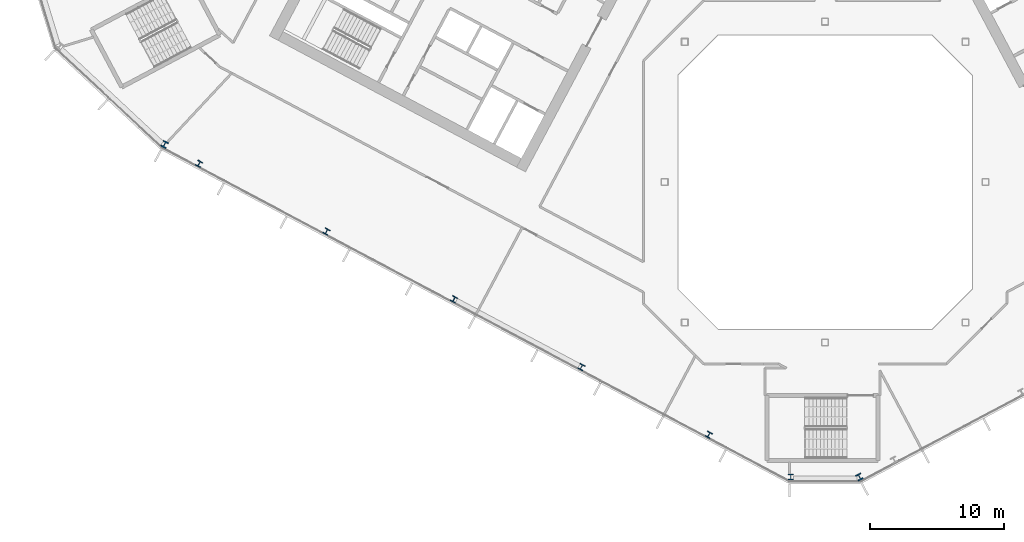
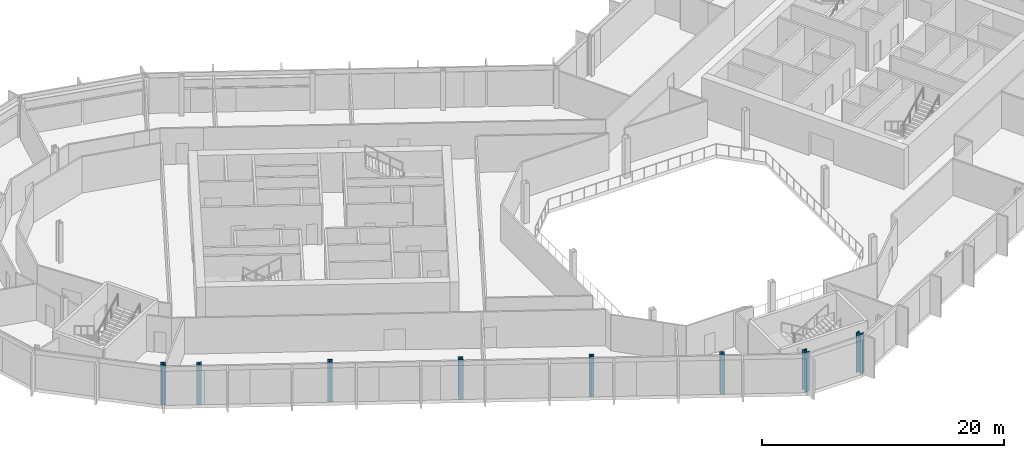
# One storey, part 1 of 28: 8 columns.
"""IFC4 building model written with IfcOpenShell, lengths in metres."""

from ifc_helpers import new_model, si_unit, direction, frame, origin, origin_2d, place, context, subcontext, project, spatial, i_section, extrude, material, material_profile, profile_set, type_object, element, save


model = new_model("IFC4")

# Units and contexts
model_context = context("Model", 3, precision=1e-05, world=origin(), true_north=direction((0.0, 1.0)))
body_context = subcontext(model_context, "Body", "Model", "MODEL_VIEW")
ifc_project = project(units=[si_unit("LENGTHUNIT", "METRE"), si_unit("AREAUNIT", "SQUARE_METRE"), si_unit("VOLUMEUNIT", "CUBIC_METRE"), si_unit("PLANEANGLEUNIT", "RADIAN"), si_unit("MASSUNIT", "GRAM", prefix="KILO")], contexts=[model_context])

# Site, building, storey
site_placement = place(None, origin())
site = spatial("IfcSite", under=ifc_project, at=site_placement, CompositionType="ELEMENT")
building_placement = place(site_placement, origin())
building = spatial("IfcBuilding", under=site, at=building_placement, Name="Cormorant Relay Tower", CompositionType="ELEMENT")
storey_placement = place(building_placement, frame((0.0, 0.0, 170.199951171875)))
storey = spatial("IfcBuildingStorey", under=building, at=storey_placement, Name="L36", CompositionType="ELEMENT", Elevation=170.199951171875)

# Columns
ifc_material_1 = material(Name="Steel ASTM A992 (Fy 345 MPa)", Category="steel")
ifc_material_profile_1 = material_profile(ifc_material_1, i_section(OverallWidth=0.41162109375, OverallDepth=0.434326171875, WebThickness=0.035888671875, FlangeThickness=0.057373046875, FilletRadius=0.01513671875, at=origin_2d()), Name="W360x463")
ifc_profile_set_1 = profile_set([ifc_material_profile_1], Name="Steel ASTM A992 (Fy 345 MPa)")
column_type_1 = type_object("IfcColumnType", Name="Column W360x463", PredefinedType="COLUMN", material=ifc_profile_set_1)
for number, where, z_axis, x_axis, name in (
    (1, (-8.696044921875, -18.910888671875, 0.0), (0.0, 0.0, 1.0), (0.882947592859, -0.469471562786, 0.0), "Column L36-004"),
    (2, (-18.23193359375, -13.841064453125, 0.0), (0.0, 0.0, 1.0), (0.882947592859, -0.469471562786, 0.0), "Column L36-006"),
    (3, (-27.76806640625, -8.77001953125, 0.0), (0.0, 0.0, 1.0), (0.882947592859, -0.469471562786, 0.0), "Column L36-011"),
    (4, (-37.303955078125, -3.699951171875, 0.0), (0.0, 0.0, 1.0), (0.882947592859, -0.469471562786, 0.0), "Column L36-013"),
    (5, (-46.839111328125, 1.3701171875, 0.0), (0.0, 0.0, 1.0), (0.882947592859, -0.469471562786, 0.0), "Column L36-018"),
):
    element("IfcColumn", number, at=place(storey_placement, frame(where, z_axis=z_axis, x_axis=x_axis)), inside=storey, type_object=column_type_1, Name=name, PredefinedType="COLUMN", context=body_context, shape_type="SweptSolid", body=[
        extrude(i_section(OverallWidth=0.41162109375, OverallDepth=0.434326171875, WebThickness=0.035888671875, FlangeThickness=0.057373046875, FilletRadius=0.01513671875, at=origin_2d()), origin(), (0.0, 0.0, 1.0), 4.0),
    ])
ifc_material_2 = material(Name="Steel ASTM A992 (Fy 345 MPa)", Category="steel")
ifc_material_profile_2 = material_profile(ifc_material_2, i_section(OverallWidth=0.42431640625, OverallDepth=0.47509765625, WebThickness=0.0478515625, FlangeThickness=0.0771484375, FilletRadius=0.014892578125, at=origin_2d()), Name="W360x634")
ifc_profile_set_2 = profile_set([ifc_material_profile_2], Name="Steel ASTM A992 (Fy 345 MPa)")
column_type_2 = type_object("IfcColumnType", Name="Column W360x634", PredefinedType="COLUMN", material=ifc_profile_set_2)
for number, where, z_axis, x_axis, name in (
    (6, (-2.571044921875, -22.06494140625, 0.0), (0.0, 0.0, 1.0), (1.0, 0.0, 0.0), "Column L36-001"),
    (7, (2.571044921875, -22.06494140625, 0.0), (0.0, 0.0, 1.0), (0.882947592859, 0.469471562786, 0.0), "Column L36-002"),
    (8, (-49.423095703125, 2.820068359375, 0.0), (0.0, 0.0, 1.0), (0.882947592859, -0.469471562786, 0.0), "Column L36-019"),
):
    element("IfcColumn", number, at=place(storey_placement, frame(where, z_axis=z_axis, x_axis=x_axis)), inside=storey, type_object=column_type_2, Name=name, PredefinedType="COLUMN", context=body_context, shape_type="SweptSolid", body=[
        extrude(i_section(OverallWidth=0.42431640625, OverallDepth=0.47509765625, WebThickness=0.0478515625, FlangeThickness=0.0771484375, FilletRadius=0.014892578125, at=origin_2d()), origin(), (0.0, 0.0, 1.0), 4.0),
    ])

save(model, "model.ifc")
